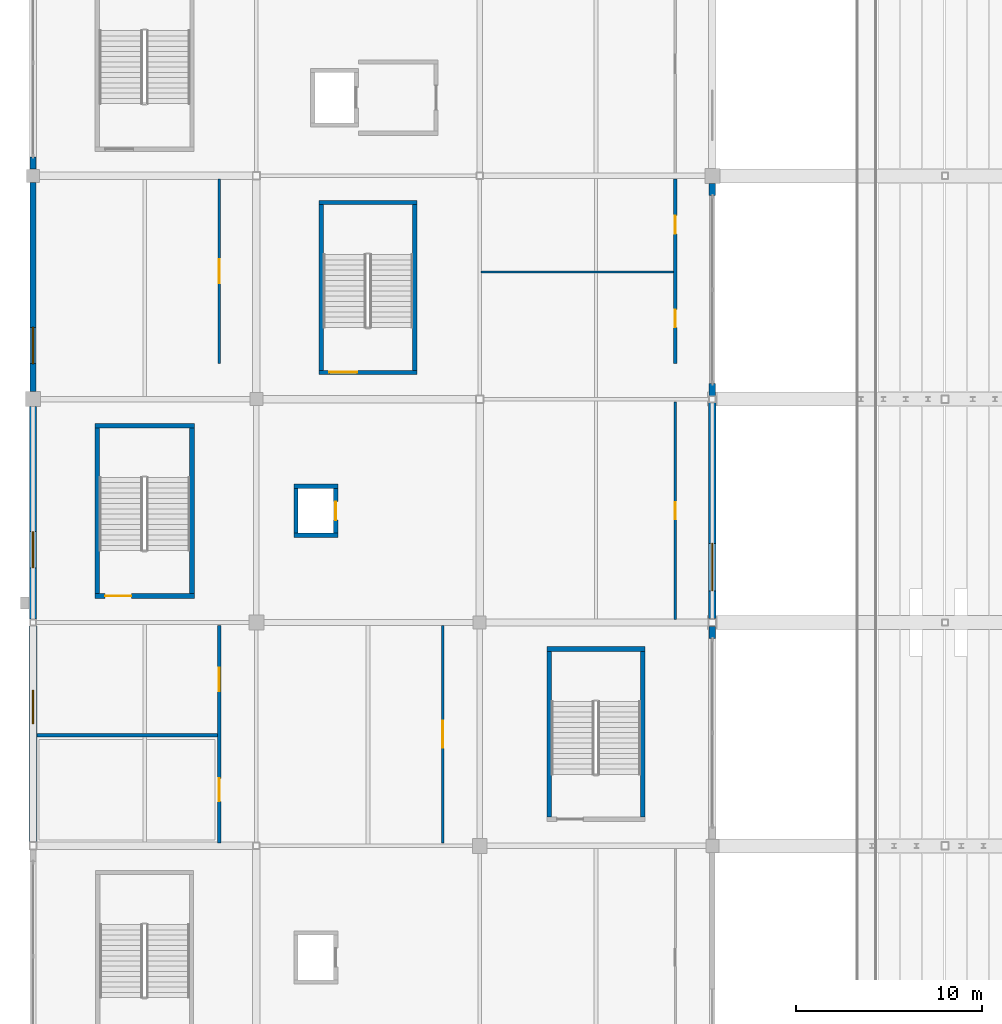
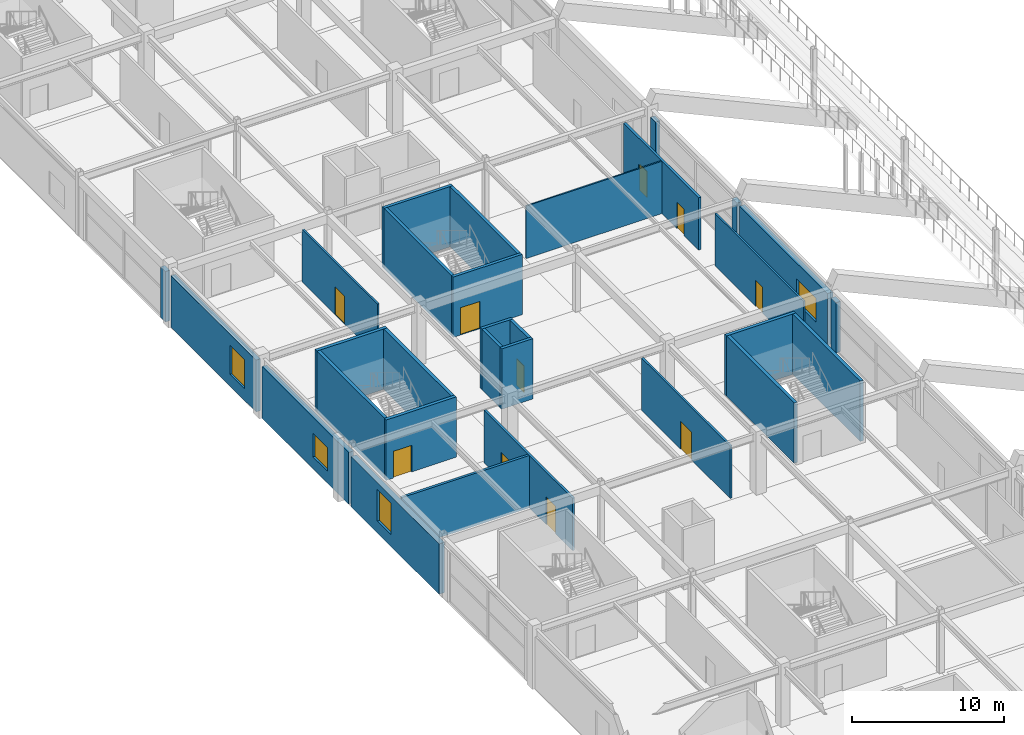
# One storey, part 88 of 128: 30 walls, 10 doors, 4 windows, 14 openings.
"""IFC4 building model written with IfcOpenShell, lengths in metres."""

from ifc_helpers import new_model, si_unit, direction, frame, frame_2d, origin, place, context, subcontext, project, spatial, rectangle, extrude, material, layer, layer_set, type_object, element, fill, save


model = new_model("IFC4")

# Units and contexts
model_context = context("Model", 3, precision=1e-05, world=origin(), true_north=direction((0.0, 1.0)))
body_context = subcontext(model_context, "Body", "Model", "MODEL_VIEW")
ifc_project = project(units=[si_unit("LENGTHUNIT", "METRE"), si_unit("AREAUNIT", "SQUARE_METRE"), si_unit("VOLUMEUNIT", "CUBIC_METRE"), si_unit("PLANEANGLEUNIT", "RADIAN"), si_unit("MASSUNIT", "GRAM", prefix="KILO")], contexts=[model_context])

# Site, building, storey
site_placement = place(None, origin())
site = spatial("IfcSite", under=ifc_project, at=site_placement, CompositionType="ELEMENT")
building_placement = place(site_placement, origin())
building = spatial("IfcBuilding", under=site, at=building_placement, Name="Kazenohara Klinker Stadium", CompositionType="ELEMENT")
storey_placement = place(building_placement, frame((0.0, 0.0, 15.300048828125)))
storey = spatial("IfcBuildingStorey", under=building, at=storey_placement, Name="L03", CompositionType="ELEMENT", Elevation=15.300048828125)

# Wall, opening, door
ifc_material_1 = material(Name="Concrete C40/50", Category="concrete")
ifc_layer_1 = layer(ifc_material_1, 0.22998046875)
ifc_layer_set_1 = layer_set([ifc_layer_1], Name="Concrete C40/50")
wall_type_1 = type_object("IfcWallType", Name="WAL-CORE-230", PredefinedType="SHEAR", material=ifc_layer_set_1)
wall_1_placement = place(storey_placement, frame((15.3701171875, 97.43505859375, 0.0), z_axis=(0.0, 0.0, 1.0), x_axis=(1.0, 0.0, 0.0)))
wall_1 = element("IfcWall", 1, at=wall_1_placement, inside=storey, type_object=wall_type_1, Name="Stairwell shear wall ST14 L03 South", PredefinedType="SHEAR", context=body_context, shape_type="SweptSolid", body=[
    extrude(rectangle(XDim=5.259765625, YDim=0.22998046875, at=frame_2d((2.6298828125, 0.0))), origin(), (0.0, 0.0, 1.0), 4.85986328125),
])
opening_1_placement = place(wall_1_placement, frame((0.550048828125, 0.0, 0.0)))
opening_1 = element("IfcOpeningElement", 2, at=opening_1_placement, cuts=wall_1, Name="Opening SD02", PredefinedType="OPENING", context=body_context, shape_type="SweptSolid", body=[
    extrude(rectangle(XDim=1.5, YDim=2.199951171875, at=frame_2d((0.75, 1.10009765625))), frame((0.0, 0.125, 0.0), z_axis=(0.0, -1.0, 0.0), x_axis=(1.0, 0.0, 0.0)), (0.0, 0.0, 1.0), 0.25),
])
ifc_material_2 = material(Name="Flush painted steel fire door leaf", Category="steel")
door_type_1 = type_object("IfcDoorType", Name="DR-STR-1500x2200", OperationType="NOTDEFINED", PredefinedType="DOOR", material=ifc_material_2)
door_1_placement = place(opening_1_placement, origin())
door_1 = element("IfcDoor", 3, at=door_1_placement, inside=storey, type_object=door_type_1, Name="Escape stairwell fire door ST14-L03", OperationType="SINGLE_SWING_RIGHT", OverallHeight=2.199951171875, OverallWidth=1.5, PredefinedType="DOOR", context=body_context, shape_type="SweptSolid", body=[
    extrude(rectangle(XDim=1.5, YDim=2.199951171875, at=frame_2d((0.75, 1.10009765625))), frame((0.0, 0.02490234375, 0.0), z_axis=(0.0, -1.0, 0.0), x_axis=(1.0, 0.0, 0.0)), (0.0, 0.0, 1.0), 0.050048828125),
])
fill(opening_1, door_1)

# Walls
wall_2_placement = place(storey_placement, frame((15.3701171875, 106.56494140625, 0.0), z_axis=(0.0, 0.0, 1.0), x_axis=(1.0, 0.0, 0.0)))
element("IfcWall", 4, at=wall_2_placement, inside=storey, type_object=wall_type_1, Name="Stairwell shear wall ST14 L03 North", PredefinedType="SHEAR", context=body_context, shape_type="SweptSolid", body=[
    extrude(rectangle(XDim=5.259765625, YDim=0.22998046875, at=frame_2d((2.6298828125, 0.0))), origin(), (0.0, 0.0, 1.0), 4.85986328125),
])
for number, where, z_axis, x_axis, name in (
    (5, (15.485107421875, 97.550048828125, 0.0), (0.0, 0.0, 1.0), (0.0, 1.0, 0.0), "Stairwell shear wall ST14 L03 West"),
    (6, (20.514892578125, 97.550048828125, 0.0), (0.0, 0.0, 1.0), (0.0, 1.0, 0.0), "Stairwell shear wall ST14 L03 East"),
):
    element("IfcWall", number, at=place(storey_placement, frame(where, z_axis=z_axis, x_axis=x_axis)), inside=storey, type_object=wall_type_1, Name=name, PredefinedType="SHEAR", context=body_context, shape_type="SweptSolid", body=[
        extrude(rectangle(XDim=8.89990234375, YDim=0.22998046875, at=frame_2d((4.449951171875, 0.0))), origin(), (0.0, 0.0, 1.0), 4.85986328125),
    ])
for number, where, z_axis, x_axis, name in (
    (7, (14.02001953125, 88.68505859375, 0.0), (0.0, 0.0, 1.0), (1.0, 0.0, 0.0), "Elevator shaft wall LP02 L03 South"),
    (8, (14.02001953125, 91.31494140625, 0.0), (0.0, 0.0, 1.0), (1.0, 0.0, 0.0), "Elevator shaft wall LP02 L03 North"),
):
    element("IfcWall", number, at=place(storey_placement, frame(where, z_axis=z_axis, x_axis=x_axis)), inside=storey, type_object=wall_type_1, Name=name, PredefinedType="SHEAR", context=body_context, shape_type="SweptSolid", body=[
        extrude(rectangle(XDim=2.35986328125, YDim=0.22998046875, at=frame_2d((1.179931640625, 0.0))), origin(), (0.0, 0.0, 1.0), 4.85986328125),
    ])
wall_3_placement = place(storey_placement, frame((14.135009765625, 88.800048828125, 0.0), z_axis=(0.0, 0.0, 1.0), x_axis=(0.0, 1.0, 0.0)))
element("IfcWall", 9, at=wall_3_placement, inside=storey, type_object=wall_type_1, Name="Elevator shaft wall LP02 L03 West", PredefinedType="SHEAR", context=body_context, shape_type="SweptSolid", body=[
    extrude(rectangle(XDim=2.39990234375, YDim=0.22998046875, at=frame_2d((1.199951171875, 0.0))), origin(), (0.0, 0.0, 1.0), 4.85986328125),
])

# Wall, opening, door
wall_4_placement = place(storey_placement, frame((16.264892578125, 88.800048828125, 0.0), z_axis=(0.0, 0.0, 1.0), x_axis=(0.0, 1.0, 0.0)))
wall_4 = element("IfcWall", 10, at=wall_4_placement, inside=storey, type_object=wall_type_1, Name="Elevator shaft wall LP02 L03 East", PredefinedType="SHEAR", context=body_context, shape_type="SweptSolid", body=[
    extrude(rectangle(XDim=2.39990234375, YDim=0.22998046875, at=frame_2d((1.199951171875, 0.0))), origin(), (0.0, 0.0, 1.0), 4.85986328125),
])
opening_2_placement = place(wall_4_placement, frame((0.699951171875, 0.0, 0.0)))
opening_2 = element("IfcOpeningElement", 11, at=opening_2_placement, cuts=wall_4, Name="Opening LD02", PredefinedType="OPENING", context=body_context, shape_type="SweptSolid", body=[
    extrude(rectangle(XDim=1.0, YDim=2.14990234375, at=frame_2d((0.5, 1.074951171875))), frame((0.0, 0.125, 0.0), z_axis=(0.0, -1.0, 0.0), x_axis=(1.0, 0.0, 0.0)), (0.0, 0.0, 1.0), 0.25),
])
ifc_material_3 = material(Name="Stainless steel sliding landing door", Category="steel")
door_type_2 = type_object("IfcDoorType", Name="DR-LD02-1000x2150", OperationType="NOTDEFINED", PredefinedType="DOOR", material=ifc_material_3)
door_2_placement = place(opening_2_placement, origin())
door_2 = element("IfcDoor", 12, at=door_2_placement, inside=storey, type_object=door_type_2, Name="Elevator sliding landing door LP02-L03", OperationType="DOUBLE_DOOR_SLIDING", OverallHeight=2.14990234375, OverallWidth=1.0, PredefinedType="DOOR", context=body_context, shape_type="SweptSolid", body=[
    extrude(rectangle(XDim=1.0, YDim=2.14990234375, at=frame_2d((0.5, 1.074951171875))), frame((0.0, 0.02490234375, 0.0), z_axis=(0.0, -1.0, 0.0), x_axis=(1.0, 0.0, 0.0)), (0.0, 0.0, 1.0), 0.050048828125),
])
fill(opening_2, door_2)

ifc_layer_2 = layer(ifc_material_1, 0.25)
ifc_layer_set_2 = layer_set([ifc_layer_2], Name="Concrete C40/50")
wall_type_2 = type_object("IfcWallType", Name="WAL-CORE-250", PredefinedType="SHEAR", material=ifc_layer_set_2)
wall_5_placement = place(storey_placement, frame((3.330078125, 85.425048828125, 0.0), z_axis=(0.0, 0.0, 1.0), x_axis=(1.0, 0.0, 0.0)))
wall_5 = element("IfcWall", 13, at=wall_5_placement, inside=storey, type_object=wall_type_2, Name="Stairwell shear wall ST03 L03 South", PredefinedType="SHEAR", context=body_context, shape_type="SweptSolid", body=[
    extrude(rectangle(XDim=5.33984375, YDim=0.25, at=frame_2d((2.669921875, 0.0))), origin(), (0.0, 0.0, 1.0), 4.85986328125),
])
opening_3_placement = place(wall_5_placement, frame((0.550048828125, 0.0, 0.0)))
opening_3 = element("IfcOpeningElement", 14, at=opening_3_placement, cuts=wall_5, Name="Opening SD01", PredefinedType="OPENING", context=body_context, shape_type="SweptSolid", body=[
    extrude(rectangle(XDim=1.39990234375, YDim=2.14990234375, at=frame_2d((0.699951171875, 1.074951171875))), frame((0.0, 0.135009765625, 0.0), z_axis=(0.0, -1.0, 0.0), x_axis=(1.0, 0.0, 0.0)), (0.0, 0.0, 1.0), 0.27001953125),
])
door_type_3 = type_object("IfcDoorType", Name="DR-STR-1400x2150", OperationType="NOTDEFINED", PredefinedType="DOOR", material=ifc_material_2)
door_3_placement = place(opening_3_placement, origin())
door_3 = element("IfcDoor", 15, at=door_3_placement, inside=storey, type_object=door_type_3, Name="Escape stairwell fire door ST03-L03", OperationType="SINGLE_SWING_LEFT", OverallHeight=2.14990234375, OverallWidth=1.39990234375, PredefinedType="DOOR", context=body_context, shape_type="SweptSolid", body=[
    extrude(rectangle(XDim=1.39990234375, YDim=2.14990234375, at=frame_2d((0.699951171875, 1.074951171875))), frame((0.0, 0.02490234375, 0.0), z_axis=(0.0, -1.0, 0.0), x_axis=(1.0, 0.0, 0.0)), (0.0, 0.0, 1.0), 0.050048828125),
])
fill(opening_3, door_3)

# Walls
wall_6_placement = place(storey_placement, frame((3.330078125, 94.574951171875, 0.0), z_axis=(0.0, 0.0, 1.0), x_axis=(1.0, 0.0, 0.0)))
element("IfcWall", 16, at=wall_6_placement, inside=storey, type_object=wall_type_2, Name="Stairwell shear wall ST03 L03 North", PredefinedType="SHEAR", context=body_context, shape_type="SweptSolid", body=[
    extrude(rectangle(XDim=5.33984375, YDim=0.25, at=frame_2d((2.669921875, 0.0))), origin(), (0.0, 0.0, 1.0), 4.85986328125),
])
for number, where, z_axis, x_axis, name in (
    (17, (3.455078125, 85.550048828125, 0.0), (0.0, 0.0, 1.0), (0.0, 1.0, 0.0), "Stairwell shear wall ST03 L03 West"),
    (18, (8.544921875, 85.550048828125, 0.0), (0.0, 0.0, 1.0), (0.0, 1.0, 0.0), "Stairwell shear wall ST03 L03 East"),
):
    element("IfcWall", number, at=place(storey_placement, frame(where, z_axis=z_axis, x_axis=x_axis)), inside=storey, type_object=wall_type_2, Name=name, PredefinedType="SHEAR", context=body_context, shape_type="SweptSolid", body=[
        extrude(rectangle(XDim=8.89990234375, YDim=0.25, at=frame_2d((4.449951171875, 0.0))), origin(), (0.0, 0.0, 1.0), 4.85986328125),
    ])
wall_7_placement = place(storey_placement, frame((27.610107421875, 82.574951171875, 0.0), z_axis=(0.0, 0.0, 1.0), x_axis=(1.0, 0.0, 0.0)))
element("IfcWall", 19, at=wall_7_placement, inside=storey, type_object=wall_type_2, Name="Stairwell shear wall ST17 L03 North", PredefinedType="SHEAR", context=body_context, shape_type="SweptSolid", body=[
    extrude(rectangle(XDim=5.27978515625, YDim=0.25, at=frame_2d((2.639892578125, 0.0))), origin(), (0.0, 0.0, 1.0), 4.85986328125),
])
for number, where, z_axis, x_axis, name in (
    (20, (27.735107421875, 73.550048828125, 0.0), (0.0, 0.0, 1.0), (0.0, 1.0, 0.0), "Stairwell shear wall ST17 L03 West"),
    (21, (32.764892578125, 73.550048828125, 0.0), (0.0, 0.0, 1.0), (0.0, 1.0, 0.0), "Stairwell shear wall ST17 L03 East"),
):
    element("IfcWall", number, at=place(storey_placement, frame(where, z_axis=z_axis, x_axis=x_axis)), inside=storey, type_object=wall_type_2, Name=name, PredefinedType="SHEAR", context=body_context, shape_type="SweptSolid", body=[
        extrude(rectangle(XDim=8.89990234375, YDim=0.25, at=frame_2d((4.449951171875, 0.0))), origin(), (0.0, 0.0, 1.0), 4.85986328125),
    ])

# Wall, opening, window
ifc_material_4 = material(Name="Clinker brick masonry", Category="masonry")
ifc_layer_3 = layer(ifc_material_4, 0.340087890625)
ifc_layer_set_3 = layer_set([ifc_layer_3], Name="Clinker brick masonry")
wall_type_3 = type_object("IfcWallType", Name="WAL-EXT-CB340", PredefinedType="SOLIDWALL", material=ifc_layer_set_3)
wall_8_placement = place(storey_placement, frame((0.0, 96.404052734375, 0.0), z_axis=(0.0, 0.0, 1.0), x_axis=(0.0, 1.0, 0.0)))
wall_8 = element("IfcWall", 22, at=wall_8_placement, inside=storey, type_object=wall_type_3, Name="Clinker brick cavity wall EW04 L03 Y0-8", PredefinedType="SOLIDWALL", context=body_context, shape_type="SweptSolid", body=[
    extrude(rectangle(XDim=11.241943359375, YDim=0.340087890625, at=frame_2d((5.62109375, 0.0))), origin(), (0.0, 0.0, 1.0), 4.171875),
])
opening_4_placement = place(wall_8_placement, frame((1.5, 0.0, 0.949951171875)))
opening_4 = element("IfcOpeningElement", 23, at=opening_4_placement, cuts=wall_8, Name="Opening W17", PredefinedType="OPENING", context=body_context, shape_type="SweptSolid", body=[
    extrude(rectangle(XDim=1.949951171875, YDim=2.35009765625, at=frame_2d((0.97509765625, 1.175048828125))), frame((0.0, 0.18017578125, 0.0), z_axis=(0.0, -1.0, 0.0), x_axis=(1.0, 0.0, 0.0)), (0.0, 0.0, 1.0), 0.360107421875),
])
ifc_material_5 = material(Name="Dark bronze aluminium frame and triple glazing", Category="aluminium")
window_type_1 = type_object("IfcWindowType", Name="WIN-AS-17", PartitioningType="SINGLE_PANEL", PredefinedType="WINDOW", material=ifc_material_5)
window_1_placement = place(opening_4_placement, origin())
window_1 = element("IfcWindow", 24, at=window_1_placement, inside=storey, type_object=window_type_1, Name="Horizontal-mullion ladder window W17 L03 Y0-8", OverallHeight=2.35009765625, OverallWidth=1.949951171875, PartitioningType="SINGLE_PANEL", PredefinedType="WINDOW", context=body_context, shape_type="SweptSolid", body=[
    extrude(rectangle(XDim=1.949951171875, YDim=2.35009765625, at=frame_2d((0.97509765625, 1.175048828125))), frame((0.0, 0.030029296875, 0.0), z_axis=(0.0, -1.0, 0.0), x_axis=(1.0, 0.0, 0.0)), (0.0, 0.0, 1.0), 0.06005859375),
])
fill(opening_4, window_1)

# Walls
for number, where, z_axis, x_axis, name in (
    (25, (0.0, 108.35400390625, 0.0), (0.0, 0.0, 1.0), (0.0, 1.0, 0.0), "Clinker brick curtain-wall jamb pier L03 Y0-9 A"),
    (26, (36.5, 83.14599609375, 0.0), (0.0, 0.0, 1.0), (0.0, 1.0, 0.0), "Clinker brick curtain-wall jamb pier L03 Y3-6 B"),
):
    element("IfcWall", number, at=place(storey_placement, frame(where, z_axis=z_axis, x_axis=x_axis)), inside=storey, type_object=wall_type_3, Name=name, PredefinedType="SOLIDWALL", context=body_context, shape_type="SweptSolid", body=[
        extrude(rectangle(XDim=0.64990234375, YDim=0.340087890625, at=frame_2d((0.324951171875, 0.0))), origin(), (0.0, 0.0, 1.0), 4.06005859375),
    ])
wall_9_placement = place(storey_placement, frame((36.5, 96.178955078125, 0.0), z_axis=(0.0, 0.0, 1.0), x_axis=(0.0, 1.0, 0.0)))
element("IfcWall", 27, at=wall_9_placement, inside=storey, type_object=wall_type_3, Name="Clinker brick curtain-wall jamb pier L03 Y3-8 A", PredefinedType="SOLIDWALL", context=body_context, shape_type="SweptSolid", body=[
    extrude(rectangle(XDim=0.650146484375, YDim=0.340087890625, at=frame_2d((0.3251953125, 0.0))), origin(), (0.0, 0.0, 1.0), 4.171875),
])
wall_10_placement = place(storey_placement, frame((36.5, 106.946044921875, 0.0), z_axis=(0.0, 0.0, 1.0), x_axis=(0.0, 1.0, 0.0)))
element("IfcWall", 28, at=wall_10_placement, inside=storey, type_object=wall_type_3, Name="Clinker brick curtain-wall jamb pier L03 Y3-8 B", PredefinedType="SOLIDWALL", context=body_context, shape_type="SweptSolid", body=[
    extrude(rectangle(XDim=0.64990234375, YDim=0.340087890625, at=frame_2d((0.324951171875, 0.0))), origin(), (0.0, 0.0, 1.0), 4.171875),
])

# Wall, opening, window
ifc_layer_4 = layer(ifc_material_4, 0.3701171875)
ifc_layer_set_4 = layer_set([ifc_layer_4], Name="Clinker brick masonry")
wall_type_4 = type_object("IfcWallType", Name="WAL-EXT-CB370", PredefinedType="SOLIDWALL", material=ifc_layer_set_4)
wall_11_placement = place(storey_placement, frame((0.0, 84.178955078125, 0.0), z_axis=(0.0, 0.0, 1.0), x_axis=(0.0, 1.0, 0.0)))
wall_11 = element("IfcWall", 29, at=wall_11_placement, inside=storey, type_object=wall_type_4, Name="Clinker brick cavity wall EW03 L03 Y0-7", PredefinedType="SOLIDWALL", context=body_context, shape_type="SweptSolid", body=[
    extrude(rectangle(XDim=11.4169921875, YDim=0.3701171875, at=frame_2d((5.70849609375, 0.0))), origin(), (0.0, 0.0, 1.0), 4.159912109375),
])
opening_5_placement = place(wall_11_placement, frame((2.75, 0.0, 0.949951171875)))
opening_5 = element("IfcOpeningElement", 30, at=opening_5_placement, cuts=wall_11, Name="Opening W16", PredefinedType="OPENING", context=body_context, shape_type="SweptSolid", body=[
    extrude(rectangle(XDim=1.949951171875, YDim=1.89990234375, at=frame_2d((0.97509765625, 0.949951171875))), frame((0.0, 0.195068359375, 0.0), z_axis=(0.0, -1.0, 0.0), x_axis=(1.0, 0.0, 0.0)), (0.0, 0.0, 1.0), 0.39013671875),
])
window_type_2 = type_object("IfcWindowType", Name="WIN-AS-16", PartitioningType="SINGLE_PANEL", PredefinedType="WINDOW", material=ifc_material_5)
window_2_placement = place(opening_5_placement, origin())
window_2 = element("IfcWindow", 31, at=window_2_placement, inside=storey, type_object=window_type_2, Name="Horizontal-mullion ladder window W16 L03 Y0-7", OverallHeight=1.89990234375, OverallWidth=1.949951171875, PartitioningType="SINGLE_PANEL", PredefinedType="WINDOW", context=body_context, shape_type="SweptSolid", body=[
    extrude(rectangle(XDim=1.949951171875, YDim=1.89990234375, at=frame_2d((0.97509765625, 0.949951171875))), frame((0.0, 0.030029296875, 0.0), z_axis=(0.0, -1.0, 0.0), x_axis=(1.0, 0.0, 0.0)), (0.0, 0.0, 1.0), 0.06005859375),
])
fill(opening_5, window_2)

ifc_layer_5 = layer(ifc_material_4, 0.409912109375)
ifc_layer_set_5 = layer_set([ifc_layer_5], Name="Clinker brick masonry")
wall_type_5 = type_object("IfcWallType", Name="WAL-EXT-CB410", PredefinedType="SOLIDWALL", material=ifc_layer_set_5)
wall_12_placement = place(storey_placement, frame((0.0, 72.2041015625, 0.0), z_axis=(0.0, 0.0, 1.0), x_axis=(0.0, 1.0, 0.0)))
wall_12 = element("IfcWall", 32, at=wall_12_placement, inside=storey, type_object=wall_type_5, Name="Clinker brick cavity wall EW02 L03 Y0-6", PredefinedType="SOLIDWALL", context=body_context, shape_type="SweptSolid", body=[
    extrude(rectangle(XDim=11.616943359375, YDim=0.409912109375, at=frame_2d((5.80859375, 0.0))), origin(), (0.0, 0.0, 1.0), 4.06005859375),
])
opening_6_placement = place(wall_12_placement, frame((6.36767578125, 0.0, 0.949951171875)))
opening_6 = element("IfcOpeningElement", 33, at=opening_6_placement, cuts=wall_12, Name="Opening W15", PredefinedType="OPENING", context=body_context, shape_type="SweptSolid", body=[
    extrude(rectangle(XDim=1.800048828125, YDim=2.550048828125, at=frame_2d((0.89990234375, 1.27490234375))), frame((0.0, 0.21484375, 0.0), z_axis=(0.0, -1.0, 0.0), x_axis=(1.0, 0.0, 0.0)), (0.0, 0.0, 1.0), 0.429931640625),
])
window_type_3 = type_object("IfcWindowType", Name="WIN-AS-15", PartitioningType="SINGLE_PANEL", PredefinedType="WINDOW", material=ifc_material_5)
window_3_placement = place(opening_6_placement, origin())
window_3 = element("IfcWindow", 34, at=window_3_placement, inside=storey, type_object=window_type_3, Name="Horizontal-mullion ladder window W15 L03 Y0-6", OverallHeight=2.550048828125, OverallWidth=1.800048828125, PartitioningType="SINGLE_PANEL", PredefinedType="WINDOW", context=body_context, shape_type="SweptSolid", body=[
    extrude(rectangle(XDim=1.800048828125, YDim=2.550048828125, at=frame_2d((0.89990234375, 1.27490234375))), frame((0.0, 0.030029296875, 0.0), z_axis=(0.0, -1.0, 0.0), x_axis=(1.0, 0.0, 0.0)), (0.0, 0.0, 1.0), 0.06005859375),
])
fill(opening_6, window_3)

wall_13_placement = place(storey_placement, frame((36.5, 84.2041015625, 0.0), z_axis=(0.0, 0.0, 1.0), x_axis=(0.0, 1.0, 0.0)))
wall_13 = element("IfcWall", 35, at=wall_13_placement, inside=storey, type_object=wall_type_5, Name="Clinker brick cavity wall EW02 L03 Y3-7", PredefinedType="SOLIDWALL", context=body_context, shape_type="SweptSolid", body=[
    extrude(rectangle(XDim=11.616943359375, YDim=0.409912109375, at=frame_2d((5.80859375, 0.0))), origin(), (0.0, 0.0, 1.0), 4.159912109375),
])
opening_7_placement = place(wall_13_placement, frame((1.5, 0.0, 0.949951171875)))
opening_7 = element("IfcOpeningElement", 36, at=opening_7_placement, cuts=wall_13, Name="Opening W26", PredefinedType="OPENING", context=body_context, shape_type="SweptSolid", body=[
    extrude(rectangle(XDim=2.550048828125, YDim=1.949951171875, at=frame_2d((1.27490234375, 0.97509765625))), frame((0.0, 0.21484375, 0.0), z_axis=(0.0, -1.0, 0.0), x_axis=(1.0, 0.0, 0.0)), (0.0, 0.0, 1.0), 0.429931640625),
])
window_type_4 = type_object("IfcWindowType", Name="WIN-AS-26", PartitioningType="SINGLE_PANEL", PredefinedType="WINDOW", material=ifc_material_5)
window_4_placement = place(opening_7_placement, origin())
window_4 = element("IfcWindow", 37, at=window_4_placement, inside=storey, type_object=window_type_4, Name="Horizontal-mullion ladder window W26 L03 Y3-7", OverallHeight=1.949951171875, OverallWidth=2.550048828125, PartitioningType="SINGLE_PANEL", PredefinedType="WINDOW", context=body_context, shape_type="SweptSolid", body=[
    extrude(rectangle(XDim=2.550048828125, YDim=1.949951171875, at=frame_2d((1.27490234375, 0.97509765625))), frame((0.0, 0.030029296875, 0.0), z_axis=(0.0, -1.0, 0.0), x_axis=(1.0, 0.0, 0.0)), (0.0, 0.0, 1.0), 0.06005859375),
])
fill(opening_7, window_4)

# Wall
ifc_material_6 = material(Name="Fire-rated gypsum board on acoustic studs", Category="gypsum")
ifc_layer_6 = layer(ifc_material_6, 0.110107421875)
ifc_layer_set_6 = layer_set([ifc_layer_6], Name="Fire-rated gypsum board on acoustic studs")
wall_type_6 = type_object("IfcWallType", Name="WAL-INT-P110", PredefinedType="PARTITIONING", material=ifc_layer_set_6)
wall_14_placement = place(storey_placement, frame((24.080078125, 102.830322265625, 0.0), z_axis=(0.0, 0.0, 1.0), x_axis=(1.0, 0.0, 0.0)))
element("IfcWall", 38, at=wall_14_placement, inside=storey, type_object=wall_type_6, Name="Interior partition wall PT01 SPC-L03-02-08-1-2", PredefinedType="PARTITIONING", context=body_context, shape_type="SweptSolid", body=[
    extrude(rectangle(XDim=10.329833984375, YDim=0.110107421875, at=frame_2d((5.1650390625, 0.0))), origin(), (0.0, 0.0, 1.0), 4.219970703125),
])

# Wall, opening, door
ifc_layer_7 = layer(ifc_material_6, 0.139892578125)
ifc_layer_set_7 = layer_set([ifc_layer_7], Name="Fire-rated gypsum board on acoustic studs")
wall_type_7 = type_object("IfcWallType", Name="WAL-INT-P140", PredefinedType="PARTITIONING", material=ifc_layer_set_7)
wall_15_placement = place(storey_placement, frame((10.010009765625, 97.919921875, 0.0), z_axis=(0.0, 0.0, 1.0), x_axis=(0.0, 1.0, 0.0)))
wall_15 = element("IfcWall", 39, at=wall_15_placement, inside=storey, type_object=wall_type_7, Name="Interior partition wall PT03 SPC-L03-00-08-1-1", PredefinedType="PARTITIONING", context=body_context, shape_type="SweptSolid", body=[
    extrude(rectangle(XDim=9.920166015625, YDim=0.139892578125, at=frame_2d((4.9599609375, 0.0))), origin(), (0.0, 0.0, 1.0), 4.219970703125),
])
opening_8_placement = place(wall_15_placement, frame((4.31005859375, 0.0, 0.0)))
opening_8 = element("IfcOpeningElement", 40, at=opening_8_placement, cuts=wall_15, Name="Opening ID15", PredefinedType="OPENING", context=body_context, shape_type="SweptSolid", body=[
    extrude(rectangle(XDim=1.300048828125, YDim=2.239990234375, at=frame_2d((0.64990234375, 1.1201171875))), frame((0.0, 0.080078125, 0.0), z_axis=(0.0, -1.0, 0.0), x_axis=(1.0, 0.0, 0.0)), (0.0, 0.0, 1.0), 0.159912109375),
])
ifc_material_7 = material(Name="Solid-core Hokkaido oak fire door", Category="wood")
door_type_4 = type_object("IfcDoorType", Name="DR-INT-15", OperationType="NOTDEFINED", PredefinedType="DOOR", material=ifc_material_7)
door_4_placement = place(opening_8_placement, origin())
door_4 = element("IfcDoor", 41, at=door_4_placement, inside=storey, type_object=door_type_4, Name="Interior door ID15 Upper Stand First-Aid Medical Clinic L03-0008A", OperationType="SINGLE_SWING_RIGHT", OverallHeight=2.239990234375, OverallWidth=1.300048828125, PredefinedType="DOOR", context=body_context, shape_type="SweptSolid", body=[
    extrude(rectangle(XDim=1.300048828125, YDim=2.239990234375, at=frame_2d((0.64990234375, 1.1201171875))), frame((0.0, 0.02490234375, 0.0), z_axis=(0.0, -1.0, 0.0), x_axis=(1.0, 0.0, 0.0)), (0.0, 0.0, 1.0), 0.050048828125),
])
fill(opening_8, door_4)

wall_16_placement = place(storey_placement, frame((34.510009765625, 84.159912109375, 0.0), z_axis=(0.0, 0.0, 1.0), x_axis=(0.0, 1.0, 0.0)))
wall_16 = element("IfcWall", 42, at=wall_16_placement, inside=storey, type_object=wall_type_7, Name="Interior partition wall PT03 SPC-L03-02-07-1-1", PredefinedType="PARTITIONING", context=body_context, shape_type="SweptSolid", body=[
    extrude(rectangle(XDim=11.68017578125, YDim=0.139892578125, at=frame_2d((5.840087890625, 0.0))), origin(), (0.0, 0.0, 1.0), 4.219970703125),
])
opening_9_placement = place(wall_16_placement, frame((5.3798828125, 0.0, 0.0)))
opening_9 = element("IfcOpeningElement", 43, at=opening_9_placement, cuts=wall_16, Name="Opening ID02", PredefinedType="OPENING", context=body_context, shape_type="SweptSolid", body=[
    extrude(rectangle(XDim=0.919921875, YDim=2.10009765625, at=frame_2d((0.4599609375, 1.050048828125))), frame((0.0, 0.080078125, 0.0), z_axis=(0.0, -1.0, 0.0), x_axis=(1.0, 0.0, 0.0)), (0.0, 0.0, 1.0), 0.159912109375),
])
door_type_5 = type_object("IfcDoorType", Name="DR-INT-02", OperationType="NOTDEFINED", PredefinedType="DOOR", material=ifc_material_7)
door_5_placement = place(opening_9_placement, origin())
door_5 = element("IfcDoor", 44, at=door_5_placement, inside=storey, type_object=door_type_5, Name="Interior door ID02 East Panorama Concourse Dining Court L03-0207A", OperationType="SINGLE_SWING_LEFT", OverallHeight=2.10009765625, OverallWidth=0.919921875, PredefinedType="DOOR", context=body_context, shape_type="SweptSolid", body=[
    extrude(rectangle(XDim=0.919921875, YDim=2.10009765625, at=frame_2d((0.4599609375, 1.050048828125))), frame((0.0, 0.02490234375, 0.0), z_axis=(0.0, -1.0, 0.0), x_axis=(1.0, 0.0, 0.0)), (0.0, 0.0, 1.0), 0.050048828125),
])
fill(opening_9, door_5)

ifc_layer_8 = layer(ifc_material_6, 0.14990234375)
ifc_layer_set_8 = layer_set([ifc_layer_8], Name="Fire-rated gypsum board on acoustic studs")
wall_type_8 = type_object("IfcWallType", Name="WAL-INT-P150", PredefinedType="PARTITIONING", material=ifc_layer_set_8)
wall_17_placement = place(storey_placement, frame((22.010009765625, 72.159912109375, 0.0), z_axis=(0.0, 0.0, 1.0), x_axis=(0.0, 1.0, 0.0)))
wall_17 = element("IfcWall", 45, at=wall_17_placement, inside=storey, type_object=wall_type_8, Name="Interior partition wall PT04 SPC-L03-01-06-1-1", PredefinedType="PARTITIONING", context=body_context, shape_type="SweptSolid", body=[
    extrude(rectangle(XDim=11.68017578125, YDim=0.14990234375, at=frame_2d((5.840087890625, 0.0))), origin(), (0.0, 0.0, 1.0), 4.219970703125),
])
opening_10_placement = place(wall_17_placement, frame((5.1201171875, 0.0, 0.0)))
opening_10 = element("IfcOpeningElement", 46, at=opening_10_placement, cuts=wall_17, Name="Opening ID19", PredefinedType="OPENING", context=body_context, shape_type="SweptSolid", body=[
    extrude(rectangle(XDim=1.43994140625, YDim=2.260009765625, at=frame_2d((0.719970703125, 1.1298828125))), frame((0.0, 0.0849609375, 0.0), z_axis=(0.0, -1.0, 0.0), x_axis=(1.0, 0.0, 0.0)), (0.0, 0.0, 1.0), 0.169921875),
])
ifc_material_8 = material(Name="Painted steel plant fire door", Category="steel")
door_type_6 = type_object("IfcDoorType", Name="DR-INT-19", OperationType="NOTDEFINED", PredefinedType="DOOR", material=ifc_material_8)
door_6_placement = place(opening_10_placement, origin())
door_6 = element("IfcDoor", 47, at=door_6_placement, inside=storey, type_object=door_type_6, Name="Interior door ID19 East Panorama Concourse Dining Court L03-0106A", OperationType="SINGLE_SWING_RIGHT", OverallHeight=2.260009765625, OverallWidth=1.43994140625, PredefinedType="DOOR", context=body_context, shape_type="SweptSolid", body=[
    extrude(rectangle(XDim=1.43994140625, YDim=2.260009765625, at=frame_2d((0.719970703125, 1.1298828125))), frame((0.0, 0.02490234375, 0.0), z_axis=(0.0, -1.0, 0.0), x_axis=(1.0, 0.0, 0.0)), (0.0, 0.0, 1.0), 0.050048828125),
])
fill(opening_10, door_6)

# Wall, openings, doors
ifc_layer_9 = layer(ifc_material_6, 0.169921875)
ifc_layer_set_9 = layer_set([ifc_layer_9], Name="Fire-rated gypsum board on acoustic studs")
wall_type_9 = type_object("IfcWallType", Name="WAL-INT-P170", PredefinedType="PARTITIONING", material=ifc_layer_set_9)
wall_18_placement = place(storey_placement, frame((10.010009765625, 72.159912109375, 0.0), z_axis=(0.0, 0.0, 1.0), x_axis=(0.0, 1.0, 0.0)))
wall_18 = element("IfcWall", 48, at=wall_18_placement, inside=storey, type_object=wall_type_9, Name="Interior partition wall PT05 SPC-L03-00-06-1-1", PredefinedType="PARTITIONING", context=body_context, shape_type="SweptSolid", body=[
    extrude(rectangle(XDim=11.68017578125, YDim=0.169921875, at=frame_2d((5.840087890625, 0.0))), origin(), (0.0, 0.0, 1.0), 4.219970703125),
])
opening_11_placement = place(wall_18_placement, frame((2.230712890625, 0.0, 0.0)))
opening_11 = element("IfcOpeningElement", 49, at=opening_11_placement, cuts=wall_18, Name="Opening ID13", PredefinedType="OPENING", context=body_context, shape_type="SweptSolid", body=[
    extrude(rectangle(XDim=1.239990234375, YDim=2.219970703125, at=frame_2d((0.6201171875, 1.10986328125))), frame((0.0, 0.094970703125, 0.0), z_axis=(0.0, -1.0, 0.0), x_axis=(1.0, 0.0, 0.0)), (0.0, 0.0, 1.0), 0.18994140625),
])
opening_12_placement = place(wall_18_placement, frame((8.1357421875, 0.0, 0.0)))
opening_12 = element("IfcOpeningElement", 50, at=opening_12_placement, cuts=wall_18, Name="Opening ID14", PredefinedType="OPENING", context=body_context, shape_type="SweptSolid", body=[
    extrude(rectangle(XDim=1.27001953125, YDim=2.199951171875, at=frame_2d((0.635009765625, 1.10009765625))), frame((0.0, 0.094970703125, 0.0), z_axis=(0.0, -1.0, 0.0), x_axis=(1.0, 0.0, 0.0)), (0.0, 0.0, 1.0), 0.18994140625),
])
door_type_7 = type_object("IfcDoorType", Name="DR-INT-13", OperationType="NOTDEFINED", PredefinedType="DOOR", material=ifc_material_7)
door_7_placement = place(opening_11_placement, origin())
door_7 = element("IfcDoor", 51, at=door_7_placement, inside=storey, type_object=door_type_7, Name="Interior door ID13 Upper Concourse Supporter Dining Pavilion L03-0006A", OperationType="SINGLE_SWING_RIGHT", OverallHeight=2.219970703125, OverallWidth=1.239990234375, PredefinedType="DOOR", context=body_context, shape_type="SweptSolid", body=[
    extrude(rectangle(XDim=1.239990234375, YDim=2.219970703125, at=frame_2d((0.6201171875, 1.10986328125))), frame((0.0, 0.02490234375, 0.0), z_axis=(0.0, -1.0, 0.0), x_axis=(1.0, 0.0, 0.0)), (0.0, 0.0, 1.0), 0.050048828125),
])
fill(opening_11, door_7)
door_type_8 = type_object("IfcDoorType", Name="DR-INT-14", OperationType="NOTDEFINED", PredefinedType="DOOR", material=ifc_material_7)
door_8_placement = place(opening_12_placement, origin())
door_8 = element("IfcDoor", 52, at=door_8_placement, inside=storey, type_object=door_type_8, Name="Interior door ID14 Supporter Tifo Workshop Studio L03-0006B", OperationType="SINGLE_SWING_LEFT", OverallHeight=2.199951171875, OverallWidth=1.27001953125, PredefinedType="DOOR", context=body_context, shape_type="SweptSolid", body=[
    extrude(rectangle(XDim=1.27001953125, YDim=2.199951171875, at=frame_2d((0.635009765625, 1.10009765625))), frame((0.0, 0.02490234375, 0.0), z_axis=(0.0, -1.0, 0.0), x_axis=(1.0, 0.0, 0.0)), (0.0, 0.0, 1.0), 0.050048828125),
])
fill(opening_12, door_8)

# Wall
ifc_layer_10 = layer(ifc_material_6, 0.18994140625)
ifc_layer_set_10 = layer_set([ifc_layer_10], Name="Fire-rated gypsum board on acoustic studs")
wall_type_10 = type_object("IfcWallType", Name="WAL-INT-P190", PredefinedType="PARTITIONING", material=ifc_layer_set_10)
wall_19_placement = place(storey_placement, frame((0.20703125, 77.941650390625, 0.0), z_axis=(0.0, 0.0, 1.0), x_axis=(1.0, 0.0, 0.0)))
element("IfcWall", 53, at=wall_19_placement, inside=storey, type_object=wall_type_10, Name="Interior partition wall PT06 SPC-L03-00-06-1-2", PredefinedType="PARTITIONING", context=body_context, shape_type="SweptSolid", body=[
    extrude(rectangle(XDim=9.712890625, YDim=0.18994140625, at=frame_2d((4.8564453125, 0.0))), origin(), (0.0, 0.0, 1.0), 4.219970703125),
])

# Wall, openings, doors
wall_20_placement = place(storey_placement, frame((34.510009765625, 97.919921875, 0.0), z_axis=(0.0, 0.0, 1.0), x_axis=(0.0, 1.0, 0.0)))
wall_20 = element("IfcWall", 54, at=wall_20_placement, inside=storey, type_object=wall_type_10, Name="Interior partition wall PT06 SPC-L03-02-08-1-1", PredefinedType="PARTITIONING", context=body_context, shape_type="SweptSolid", body=[
    extrude(rectangle(XDim=9.920166015625, YDim=0.18994140625, at=frame_2d((4.9599609375, 0.0))), origin(), (0.0, 0.0, 1.0), 4.219970703125),
])
opening_13_placement = place(wall_20_placement, frame((1.940185546875, 0.0, 0.0)))
opening_13 = element("IfcOpeningElement", 55, at=opening_13_placement, cuts=wall_20, Name="Opening ID03", PredefinedType="OPENING", context=body_context, shape_type="SweptSolid", body=[
    extrude(rectangle(XDim=0.949951171875, YDim=2.1201171875, at=frame_2d((0.47509765625, 1.06005859375))), frame((0.0, 0.10498046875, 0.0), z_axis=(0.0, -1.0, 0.0), x_axis=(1.0, 0.0, 0.0)), (0.0, 0.0, 1.0), 0.2099609375),
])
opening_14_placement = place(wall_20_placement, frame((6.965087890625, 0.0, 0.0)))
opening_14 = element("IfcOpeningElement", 56, at=opening_14_placement, cuts=wall_20, Name="Opening ID04", PredefinedType="OPENING", context=body_context, shape_type="SweptSolid", body=[
    extrude(rectangle(XDim=0.97998046875, YDim=2.10009765625, at=frame_2d((0.489990234375, 1.050048828125))), frame((0.0, 0.10498046875, 0.0), z_axis=(0.0, -1.0, 0.0), x_axis=(1.0, 0.0, 0.0)), (0.0, 0.0, 1.0), 0.2099609375),
])
door_type_9 = type_object("IfcDoorType", Name="DR-INT-03", OperationType="NOTDEFINED", PredefinedType="DOOR", material=ifc_material_7)
door_9_placement = place(opening_13_placement, origin())
door_9 = element("IfcDoor", 57, at=door_9_placement, inside=storey, type_object=door_type_9, Name="Interior door ID03 Upper Concourse Hot Beverage Bistro L03-0208A", OperationType="SINGLE_SWING_RIGHT", OverallHeight=2.1201171875, OverallWidth=0.949951171875, PredefinedType="DOOR", context=body_context, shape_type="SweptSolid", body=[
    extrude(rectangle(XDim=0.949951171875, YDim=2.1201171875, at=frame_2d((0.47509765625, 1.06005859375))), frame((0.0, 0.02490234375, 0.0), z_axis=(0.0, -1.0, 0.0), x_axis=(1.0, 0.0, 0.0)), (0.0, 0.0, 1.0), 0.050048828125),
])
fill(opening_13, door_9)
door_type_10 = type_object("IfcDoorType", Name="DR-INT-04", OperationType="NOTDEFINED", PredefinedType="DOOR", material=ifc_material_7)
door_10_placement = place(opening_14_placement, origin())
door_10 = element("IfcDoor", 58, at=door_10_placement, inside=storey, type_object=door_type_10, Name="Interior door ID04 Upper Stand First-Aid Medical Clinic L03-0208B", OperationType="SINGLE_SWING_LEFT", OverallHeight=2.10009765625, OverallWidth=0.97998046875, PredefinedType="DOOR", context=body_context, shape_type="SweptSolid", body=[
    extrude(rectangle(XDim=0.97998046875, YDim=2.10009765625, at=frame_2d((0.489990234375, 1.050048828125))), frame((0.0, 0.02490234375, 0.0), z_axis=(0.0, -1.0, 0.0), x_axis=(1.0, 0.0, 0.0)), (0.0, 0.0, 1.0), 0.050048828125),
])
fill(opening_14, door_10)

save(model, "model.ifc")
